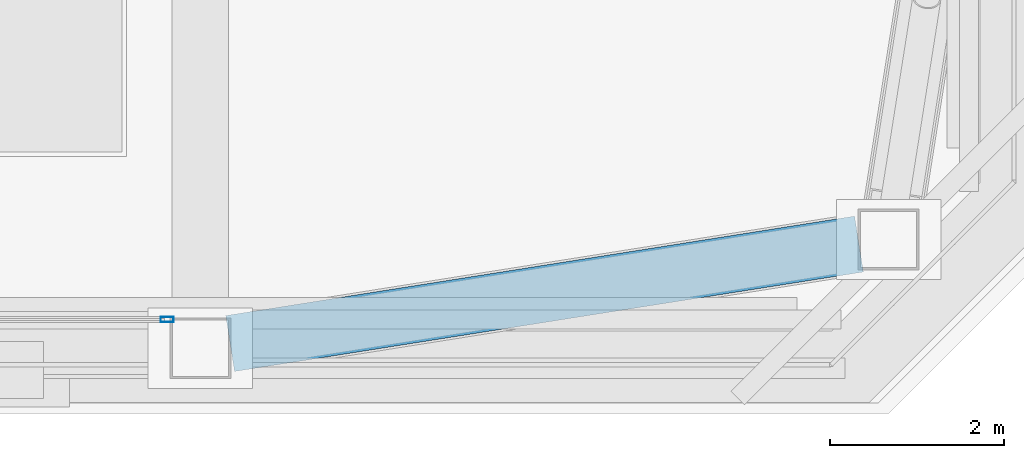
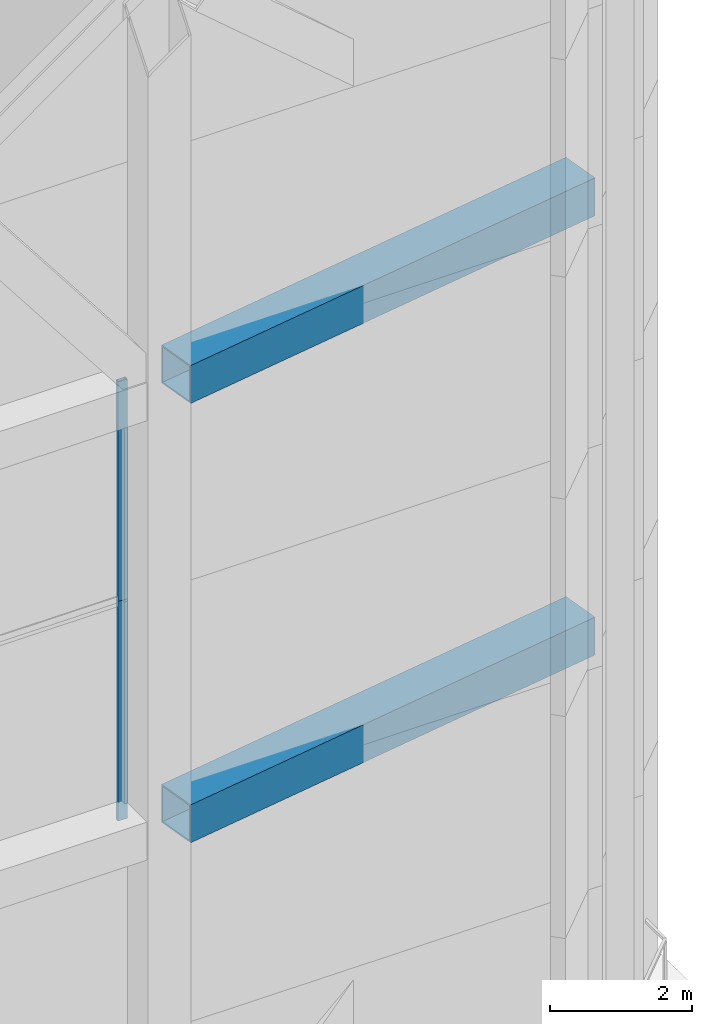
# One storey, part 9 of 28: 2 beams, 2 members, 2 elements without a shape of their own.
"""IFC4 building model written with IfcOpenShell, lengths in metres."""

from ifc_helpers import new_model, si_unit, direction, frame, origin, origin_2d, place, context, subcontext, project, spatial, hollow_rectangle, extrude, material, material_profile, profile_set, type_object, element, aggregate, save


model = new_model("IFC4")

# Units and contexts
model_context = context("Model", 3, precision=1e-05, world=origin(), true_north=direction((0.0, 1.0)))
body_context = subcontext(model_context, "Body", "Model", "MODEL_VIEW")
ifc_project = project(units=[si_unit("LENGTHUNIT", "METRE"), si_unit("AREAUNIT", "SQUARE_METRE"), si_unit("VOLUMEUNIT", "CUBIC_METRE"), si_unit("PLANEANGLEUNIT", "RADIAN"), si_unit("MASSUNIT", "GRAM", prefix="KILO")], contexts=[model_context])

# Site, building, storey
site_placement = place(None, origin())
site = spatial("IfcSite", under=ifc_project, at=site_placement, CompositionType="ELEMENT")
building_placement = place(site_placement, origin())
building = spatial("IfcBuilding", under=site, at=building_placement, Name="Tashvorn Skyway Center", CompositionType="ELEMENT")
storey_placement = place(building_placement, frame((0.0, 0.0, 277.60009765625)))
storey = spatial("IfcBuildingStorey", under=building, at=storey_placement, Name="Roof Level", CompositionType="ELEMENT", Elevation=277.60009765625)

# Beams
ifc_material_1 = material(Name="Steel ASTM A572 Grade 50", Category="steel")
ifc_material_profile_1 = material_profile(ifc_material_1, hollow_rectangle(XDim=0.64990234375, YDim=0.64990234375, WallThickness=0.02490234375, at=origin_2d()), Name="BOX650x650x25")
ifc_profile_set_1 = profile_set([ifc_material_profile_1], Name="Steel ASTM A572 Grade 50")
beam_type = type_object("IfcBeamType", Name="BM-BEAM-BOX650x650x25", PredefinedType="BEAM", material=ifc_profile_set_1)
for number, where, z_axis, x_axis, name in (
    (1, (47.74072265625, 17.50390625, 7.52978515625), (0.987713891031, 0.156273060583, 0.0), (-0.156273060583, 0.987713891031, 0.0), "CROWN FRAME Tower 1 Lower-Tier Ring Beam 03"),
    (2, (47.74072265625, 17.50390625, 15.059814453125), (0.987713891031, 0.156273060583, 0.0), (-0.156273060583, 0.987713891031, 0.0), "CROWN FRAME Tower 1 Upper-Tier Ring Beam 03"),
):
    element("IfcBeam", number, at=place(storey_placement, frame(where, z_axis=z_axis, x_axis=x_axis)), inside=storey, type_object=beam_type, Name=name, PredefinedType="BEAM", context=body_context, shape_type="SweptSolid", body=[
        extrude(hollow_rectangle(XDim=0.64990234375, YDim=0.64990234375, WallThickness=0.02490234375, at=origin_2d()), origin(), (0.0, 0.0, 1.0), 7.308349609375),
    ])

# Curtain wall, member
ifc_material_2 = material(Name="Thermally broken bronze-anodized aluminium 6063-T6", Category="aluminium")
curtain_wall_type = type_object("IfcCurtainWallType", Name="CW-CW-SKY", PredefinedType="NOTDEFINED", material=ifc_material_2)
curtain_wall_1_placement = place(storey_placement, origin())
curtain_wall_1 = element("IfcCurtainWall", 3, at=curtain_wall_1_placement, inside=storey, type_object=curtain_wall_type, Name="CROWN Lantern Fritted Curtain Wall T1 S-3", PredefinedType="NOTDEFINED")
ifc_material_profile_2 = material_profile(ifc_material_2, hollow_rectangle(XDim=0.06494140625, YDim=0.14990234375, WallThickness=0.00390625, at=origin_2d()), Name="ALU-MULL-65x150")
ifc_profile_set_2 = profile_set([ifc_material_profile_2], Name="Thermally broken bronze-anodized aluminium 6063-T6")
member_type = type_object("IfcMemberType", Name="CWM-CW-SKY", PredefinedType="MULLION", material=ifc_profile_set_2)
member_1_placement = place(storey_placement, frame((47.017578125, 17.780029296875, 7.52978515625), z_axis=(0.0, 0.0, 1.0), x_axis=(0.0, -1.0, 0.0)))
member_1 = element("IfcMember", 4, at=member_1_placement, type_object=member_type, Name="CW-SKY mullion 1", PredefinedType="MULLION", context=body_context, shape_type="SweptSolid", body=[
    extrude(hollow_rectangle(XDim=0.06494140625, YDim=0.14990234375, WallThickness=0.00390625, at=origin_2d()), origin(), (0.0, 0.0, 1.0), 3.76513671875),
])
aggregate(curtain_wall_1, [member_1])

curtain_wall_2_placement = place(storey_placement, origin())
curtain_wall_2 = element("IfcCurtainWall", 5, at=curtain_wall_2_placement, inside=storey, type_object=curtain_wall_type, Name="CROWN Lantern Fritted Curtain Wall T1 S-4", PredefinedType="NOTDEFINED")
member_2_placement = place(storey_placement, frame((47.017578125, 17.780029296875, 11.294921875), z_axis=(0.0, 0.0, 1.0), x_axis=(0.0, -1.0, 0.0)))
member_2 = element("IfcMember", 6, at=member_2_placement, type_object=member_type, Name="CW-SKY mullion 1", PredefinedType="MULLION", context=body_context, shape_type="SweptSolid", body=[
    extrude(hollow_rectangle(XDim=0.06494140625, YDim=0.14990234375, WallThickness=0.00390625, at=origin_2d()), origin(), (0.0, 0.0, 1.0), 3.764892578125),
])
aggregate(curtain_wall_2, [member_2])

save(model, "model.ifc")
